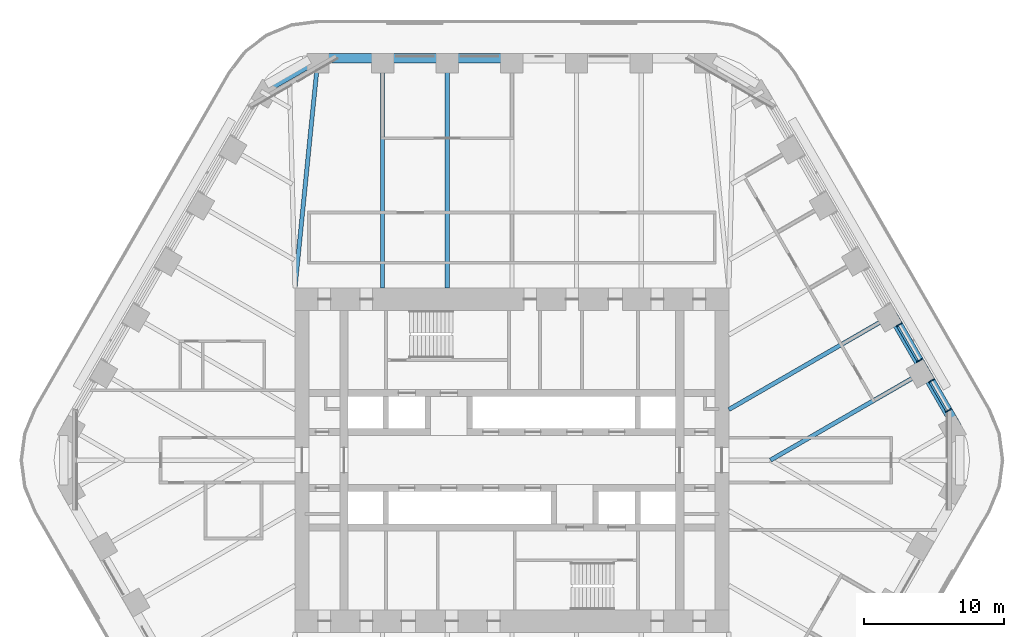
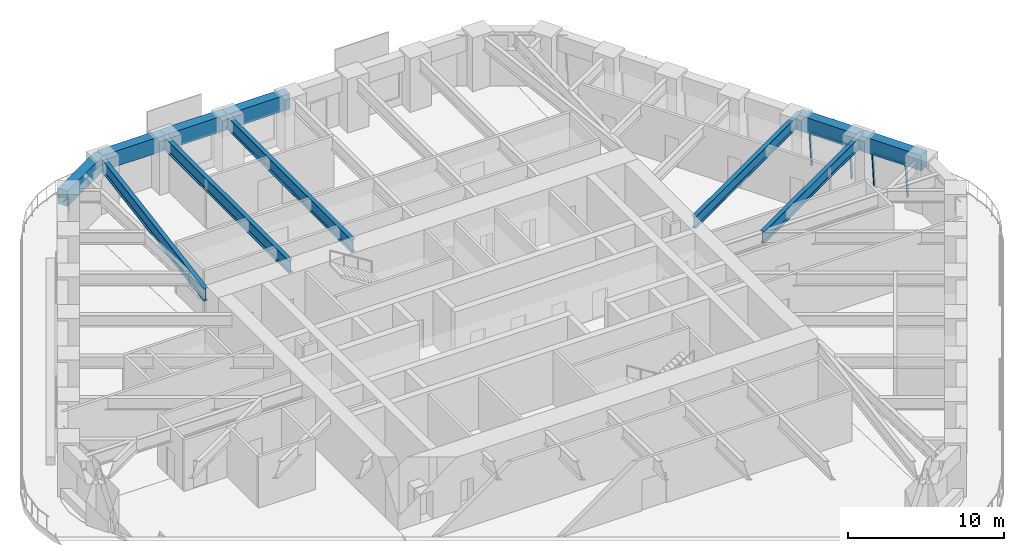
# One storey, part 9 of 20: 11 beams, 6 members, 2 elements without a shape of their own.
"""IFC4 building model written with IfcOpenShell, lengths in metres."""

from ifc_helpers import new_model, si_unit, direction, frame, origin, origin_2d, place, context, subcontext, project, spatial, rectangle, i_section, extrude, material, material_profile, profile_set, type_object, element, aggregate, save


model = new_model("IFC4")

# Units and contexts
model_context = context("Model", 3, precision=1e-05, world=origin(), true_north=direction((0.0, 1.0)))
body_context = subcontext(model_context, "Body", "Model", "MODEL_VIEW")
ifc_project = project(units=[si_unit("LENGTHUNIT", "METRE"), si_unit("AREAUNIT", "SQUARE_METRE"), si_unit("VOLUMEUNIT", "CUBIC_METRE"), si_unit("PLANEANGLEUNIT", "RADIAN"), si_unit("MASSUNIT", "GRAM", prefix="KILO")], contexts=[model_context])

# Site, building, storey
site_placement = place(None, origin())
site = spatial("IfcSite", under=ifc_project, at=site_placement, CompositionType="ELEMENT")
building_placement = place(site_placement, origin())
building = spatial("IfcBuilding", under=site, at=building_placement, Name="Tarfa Lantern Tower", CompositionType="ELEMENT")
storey_placement = place(building_placement, frame((0.0, 0.0, 232.300048828125)))
storey = spatial("IfcBuildingStorey", under=building, at=storey_placement, Name="L52", CompositionType="ELEMENT", Elevation=232.300048828125)

# Curtain wall, members
ifc_material_1 = material(Name="Aluminium framed curtain wall", Category="aluminium")
curtain_wall_type = type_object("IfcCurtainWallType", Name="CW3 CANTED GLAZING HIGH ZONE 2800", PredefinedType="USERDEFINED", material=ifc_material_1)
curtain_wall_1_placement = place(storey_placement, origin())
curtain_wall_1 = element("IfcCurtainWall", 1, at=curtain_wall_1_placement, inside=storey, type_object=curtain_wall_type, Name="CW3 NE L52", ObjectType="CURTAIN WALL", PredefinedType="USERDEFINED")
ifc_material_2 = material(Name="Aluminium mullion", Category="aluminium")
ifc_material_profile_1 = material_profile(ifc_material_2, rectangle(XDim=0.06494140625, YDim=0.199951171875, at=origin_2d()), Name="AL MULLION 65x200")
ifc_profile_set_1 = profile_set([ifc_material_profile_1], Name="Aluminium mullion")
member_type_1 = type_object("IfcMemberType", Name="CWM1 MULLION 65x200", PredefinedType="MULLION", material=ifc_profile_set_1)
member_1_placement = place(storey_placement, frame((31.2900390625, 3.60400390625, 0.0), z_axis=(-0.077032386753, -0.044465143199, 0.996036576854), x_axis=(0.499919672301, -0.866071776036, 0.0)))
member_1 = element("IfcMember", 2, at=member_1_placement, type_object=member_type_1, Name="CW3 mullion 1", PredefinedType="MULLION", context=body_context, shape_type="SweptSolid", body=[
    extrude(rectangle(XDim=0.06494140625, YDim=0.199951171875, at=origin_2d()), origin(), (0.0, 0.0, 1.0), 2.811279296875),
])
member_2_placement = place(storey_placement, frame((30.063232421875, 5.72900390625, 0.0), z_axis=(-0.077032386753, -0.044465143199, 0.996036576854), x_axis=(0.499919672301, -0.866071776036, 0.0)))
member_2 = element("IfcMember", 3, at=member_2_placement, type_object=member_type_1, Name="CW3 mullion 2", PredefinedType="MULLION", context=body_context, shape_type="SweptSolid", body=[
    extrude(rectangle(XDim=0.06494140625, YDim=0.199951171875, at=origin_2d()), origin(), (0.0, 0.0, 1.0), 2.811279296875),
])

curtain_wall_2_placement = place(storey_placement, origin())
curtain_wall_2 = element("IfcCurtainWall", 4, at=curtain_wall_2_placement, inside=storey, type_object=curtain_wall_type, Name="CW3 NE L52", ObjectType="CURTAIN WALL", PredefinedType="USERDEFINED")
member_3_placement = place(storey_placement, frame((29.230712890625, 7.1708984375, 0.0), z_axis=(-0.077032386753, -0.044465143199, 0.996036576854), x_axis=(0.499919672301, -0.866071776036, 0.0)))
member_3 = element("IfcMember", 5, at=member_3_placement, type_object=member_type_1, Name="CW3 mullion 1", PredefinedType="MULLION", context=body_context, shape_type="SweptSolid", body=[
    extrude(rectangle(XDim=0.06494140625, YDim=0.199951171875, at=origin_2d()), origin(), (0.0, 0.0, 1.0), 2.811279296875),
])
member_4_placement = place(storey_placement, frame((27.75390625, 9.72900390625, 0.0), z_axis=(-0.077032386753, -0.044465143199, 0.996036576854), x_axis=(0.499919672301, -0.866071776036, 0.0)))
member_4 = element("IfcMember", 6, at=member_4_placement, type_object=member_type_1, Name="CW3 mullion 2", PredefinedType="MULLION", context=body_context, shape_type="SweptSolid", body=[
    extrude(rectangle(XDim=0.06494140625, YDim=0.199951171875, at=origin_2d()), origin(), (0.0, 0.0, 1.0), 2.811279296875),
])

# Member
ifc_material_3 = material(Name="Aluminium transom", Category="aluminium")
ifc_material_profile_2 = material_profile(ifc_material_3, rectangle(XDim=0.14990234375, YDim=0.06494140625, at=origin_2d()), Name="AL TRANSOM 150x65")
ifc_profile_set_2 = profile_set([ifc_material_profile_2], Name="Aluminium transom")
member_type_2 = type_object("IfcMemberType", Name="CWT1 TRANSOM 150x65", PredefinedType="USERDEFINED", material=ifc_profile_set_2)
member_5_placement = place(storey_placement, frame((31.059814453125, 3.508544921875, 2.767333984375), z_axis=(-0.499964266659, 0.866046033456, 0.0), x_axis=(-0.866046033456, -0.499964266659, 0.0)))
member_5 = element("IfcMember", 7, at=member_5_placement, type_object=member_type_2, Name="CW3 transom 1.2", ObjectType="TRANSOM", PredefinedType="USERDEFINED", context=body_context, shape_type="SweptSolid", body=[
    extrude(rectangle(XDim=0.14990234375, YDim=0.06494140625, at=origin_2d()), origin(), (0.0, 0.0, 1.0), 2.388916015625),
])

aggregate(curtain_wall_1, [member_1, member_2, member_5])

member_6_placement = place(storey_placement, frame((29.00048828125, 7.07568359375, 2.767333984375), z_axis=(-0.499993141028, 0.866029363778, 0.0), x_axis=(-0.866029363778, -0.499993141028, 0.0)))
member_6 = element("IfcMember", 8, at=member_6_placement, type_object=member_type_2, Name="CW3 transom 1.2", ObjectType="TRANSOM", PredefinedType="USERDEFINED", context=body_context, shape_type="SweptSolid", body=[
    extrude(rectangle(XDim=0.14990234375, YDim=0.06494140625, at=origin_2d()), origin(), (0.0, 0.0, 1.0), 2.888671875),
])

aggregate(curtain_wall_2, [member_3, member_4, member_6])

# Beams
ifc_material_4 = material(Name="Concrete C80/95", Category="concrete")
ifc_material_profile_3 = material_profile(ifc_material_4, rectangle(XDim=0.699951171875, YDim=1.199951171875, at=origin_2d()), Name="RC 700x1200")
ifc_profile_set_3 = profile_set([ifc_material_profile_3], Name="Concrete C80/95")
beam_type_1 = type_object("IfcBeamType", Name="EB3 RC 700x1200", PredefinedType="SPANDREL", material=ifc_profile_set_3)
beam_1_placement = place(storey_placement, frame((31.800537109375, 2.360107421875, 3.39990234375), z_axis=(-0.500027479704, 0.866009537788, 0.0), x_axis=(-0.866009537788, -0.500027479704, 0.0)))
element("IfcBeam", 9, at=beam_1_placement, inside=storey, type_object=beam_type_1, Name="Edge beam NE0", PredefinedType="SPANDREL", context=body_context, shape_type="SweptSolid", body=[
    extrude(rectangle(XDim=0.699951171875, YDim=1.199951171875, at=origin_2d()), origin(), (0.0, 0.0, 1.0), 4.618896484375),
])
beam_2_placement = place(storey_placement, frame((29.490966796875, 6.360107421875, 3.39990234375), z_axis=(-0.499987836815, 0.866032426089, 0.0), x_axis=(-0.866032426089, -0.499987836815, 0.0)))
element("IfcBeam", 10, at=beam_2_placement, inside=storey, type_object=beam_type_1, Name="Edge beam NE1", PredefinedType="SPANDREL", context=body_context, shape_type="SweptSolid", body=[
    extrude(rectangle(XDim=0.699951171875, YDim=1.199951171875, at=origin_2d()), origin(), (0.0, 0.0, 1.0), 4.61865234375),
])
beam_3_placement = place(storey_placement, frame((0.0, 28.719970703125, 3.39990234375), z_axis=(-1.0, 0.0, 0.0), x_axis=(0.0, -1.0, 0.0)))
element("IfcBeam", 11, at=beam_3_placement, inside=storey, type_object=beam_type_1, Name="Edge beam N3", PredefinedType="SPANDREL", context=body_context, shape_type="SweptSolid", body=[
    extrude(rectangle(XDim=0.699951171875, YDim=1.199951171875, at=origin_2d()), origin(), (0.0, 0.0, 1.0), 4.618896484375),
])
beam_4_placement = place(storey_placement, frame((-4.618896484375, 28.719970703125, 3.39990234375), z_axis=(-1.0, 0.0, 0.0), x_axis=(0.0, -1.0, 0.0)))
element("IfcBeam", 12, at=beam_4_placement, inside=storey, type_object=beam_type_1, Name="Edge beam N4", PredefinedType="SPANDREL", context=body_context, shape_type="SweptSolid", body=[
    extrude(rectangle(XDim=0.699951171875, YDim=1.199951171875, at=origin_2d()), origin(), (0.0, 0.0, 1.0), 4.61865234375),
])
beam_5_placement = place(storey_placement, frame((-9.237548828125, 28.719970703125, 3.39990234375), z_axis=(-1.0, 0.0, 0.0), x_axis=(0.0, -1.0, 0.0)))
element("IfcBeam", 13, at=beam_5_placement, inside=storey, type_object=beam_type_1, Name="Edge beam N5", PredefinedType="SPANDREL", context=body_context, shape_type="SweptSolid", body=[
    extrude(rectangle(XDim=0.699951171875, YDim=1.199951171875, at=origin_2d()), origin(), (0.0, 0.0, 1.0), 4.618896484375),
])
beam_6_placement = place(storey_placement, frame((-13.8564453125, 28.719970703125, 3.39990234375), z_axis=(-0.866038294681, -0.499977671647, 0.0), x_axis=(0.499977671647, -0.866038294681, 0.0)))
element("IfcBeam", 14, at=beam_6_placement, inside=storey, type_object=beam_type_1, Name="Edge beam N6", PredefinedType="SPANDREL", context=body_context, shape_type="SweptSolid", body=[
    extrude(rectangle(XDim=0.699951171875, YDim=1.199951171875, at=origin_2d()), origin(), (0.0, 0.0, 1.0), 4.719970703125),
])
ifc_material_5 = material(Name="Steel S460M", Category="steel")
ifc_material_profile_4 = material_profile(ifc_material_5, i_section(OverallWidth=0.302001953125, OverallDepth=1.008056640625, WebThickness=0.02099609375, FlangeThickness=0.0400390625, FilletRadius=0.030029296875, at=origin_2d()), Name="UB1016x305x349")
ifc_profile_set_4 = profile_set([ifc_material_profile_4], Name="Steel S460M")
beam_type_2 = type_object("IfcBeamType", Name="UB1016x305x349", PredefinedType="BEAM", material=ifc_profile_set_4)
for number, where, z_axis, x_axis, name in (
    (15, (-4.618896484375, 28.719970703125, 3.495849609375), (0.0, -1.0, 0.0), (1.0, 0.0, 0.0), "Floor beam N4"),
    (16, (-9.237548828125, 28.719970703125, 3.495849609375), (0.0, -1.0, 0.0), (1.0, 0.0, 0.0), "Floor beam N5"),
):
    element("IfcBeam", number, at=place(storey_placement, frame(where, z_axis=z_axis, x_axis=x_axis)), inside=storey, type_object=beam_type_2, Name=name, PredefinedType="BEAM", context=body_context, shape_type="SweptSolid", body=[
        extrude(i_section(OverallWidth=0.302001953125, OverallDepth=1.008056640625, WebThickness=0.02099609375, FlangeThickness=0.0400390625, FilletRadius=0.030029296875, at=origin_2d()), origin(), (0.0, 0.0, 1.0), 16.419921875),
    ])
beam_7_placement = place(storey_placement, frame((-13.8564453125, 28.719970703125, 3.495849609375), z_axis=(-0.099597466746, -0.995027810977, 0.0), x_axis=(0.995027810977, -0.099597466746, 0.0)))
element("IfcBeam", 17, at=beam_7_placement, inside=storey, type_object=beam_type_2, Name="Floor beam N6", PredefinedType="BEAM", context=body_context, shape_type="SweptSolid", body=[
    extrude(i_section(OverallWidth=0.302001953125, OverallDepth=1.008056640625, WebThickness=0.02099609375, FlangeThickness=0.0400390625, FilletRadius=0.030029296875, at=origin_2d()), origin(), (0.0, 0.0, 1.0), 16.501953125),
])
ifc_material_profile_5 = material_profile(ifc_material_5, i_section(OverallWidth=0.305419921875, OverallDepth=0.91845703125, WebThickness=0.017333984375, FlangeThickness=0.02783203125, FilletRadius=0.01904296875, at=origin_2d()), Name="UB914x305x253")
ifc_profile_set_5 = profile_set([ifc_material_profile_5], Name="Steel S460M")
beam_type_3 = type_object("IfcBeamType", Name="UB914x305x253", PredefinedType="BEAM", material=ifc_profile_set_5)
beam_8_placement = place(storey_placement, frame((29.490966796875, 6.360107421875, 3.540771484375), z_axis=(-0.866022258038, -0.500005448553, 0.0), x_axis=(0.500005448553, -0.866022258038, 0.0)))
element("IfcBeam", 18, at=beam_8_placement, inside=storey, type_object=beam_type_3, Name="Floor beam NE1", PredefinedType="BEAM", context=body_context, shape_type="SweptSolid", body=[
    extrude(i_section(OverallWidth=0.305419921875, OverallDepth=0.91845703125, WebThickness=0.017333984375, FlangeThickness=0.02783203125, FilletRadius=0.01904296875, at=origin_2d()), origin(), (0.0, 0.0, 1.0), 12.719970703125),
])
beam_9_placement = place(storey_placement, frame((27.181640625, 10.360107421875, 3.540771484375), z_axis=(-0.866018002818, -0.500012818631, 0.0), x_axis=(0.500012818631, -0.866018002818, 0.0)))
element("IfcBeam", 19, at=beam_9_placement, inside=storey, type_object=beam_type_3, Name="Floor beam NE2", PredefinedType="BEAM", context=body_context, shape_type="SweptSolid", body=[
    extrude(i_section(OverallWidth=0.305419921875, OverallDepth=0.91845703125, WebThickness=0.017333984375, FlangeThickness=0.02783203125, FilletRadius=0.01904296875, at=origin_2d()), origin(), (0.0, 0.0, 1.0), 13.489013671875),
])

save(model, "model.ifc")
